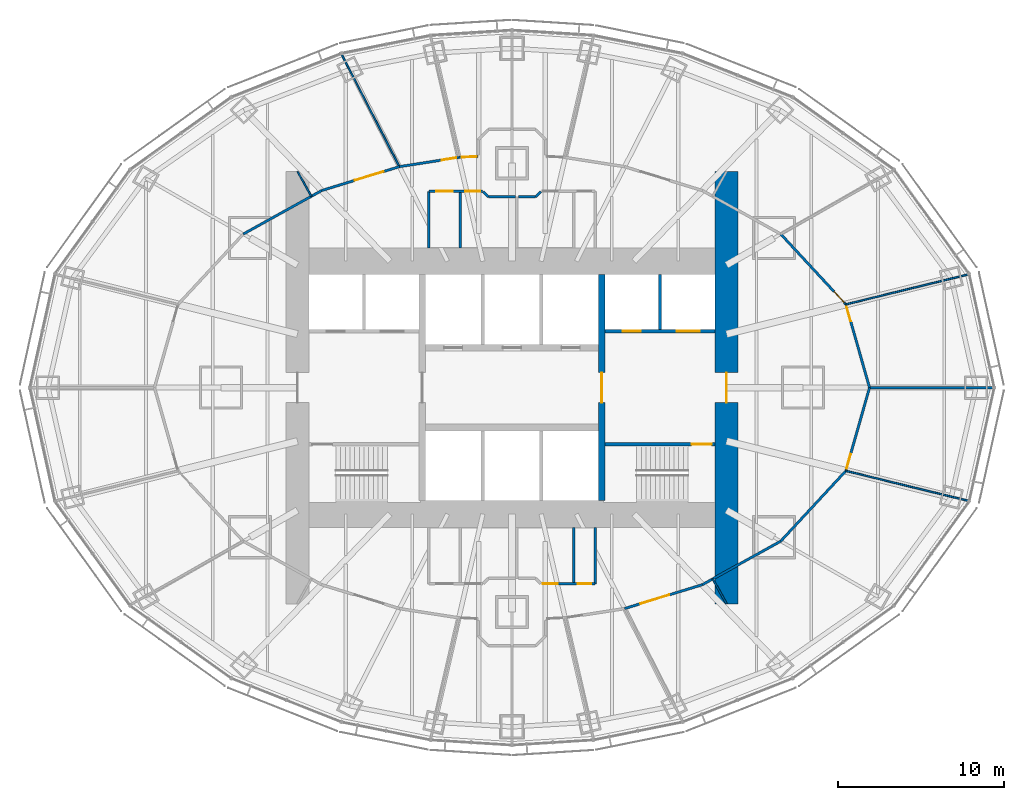
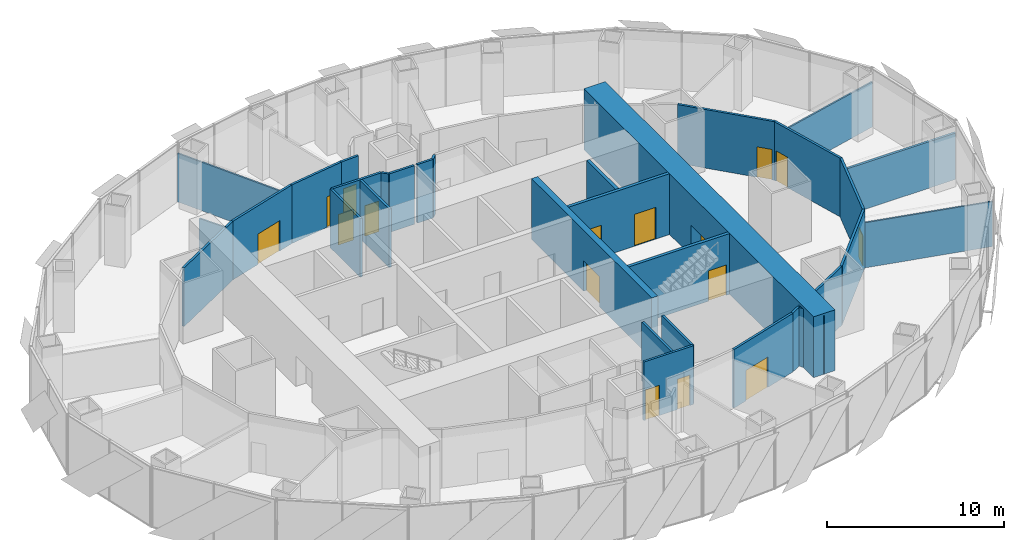
# One storey, part 12 of 17: 31 walls, 16 doors, 16 openings.
"""IFC4 building model written with IfcOpenShell, lengths in metres."""

import ifcopenshell
import ifcopenshell.guid

model = None  # the IFC model being written
_history = None  # IfcOwnerHistory: only IFC2X3 demands one
_inside = {}  # id of a spatial element -> (the spatial element, [elements in it])
_under = {}  # id of a project, library or spatial element -> (it, [spatial elements below it])
_declared = {}  # id of a project -> (the project, [libraries it declares])
_typed = {}  # id of a type object -> (the type object, [elements of that type])
_made_of = {}  # id of a material, layer set ... -> (it, [elements and type objects made of it])


def new_model(schema):
    """Start an empty IFC model of exactly this schema.

    Asked for "IFC4X3", IfcOpenShell would pick the latest addendum, in which some entities
    have other attributes; the version numbers below select the first issue.
    IFC2X3 requires an IfcOwnerHistory on every rooted entity: one is made here for all.
    """
    global model, _history
    if schema == "IFC4X3":
        model = ifcopenshell.file(schema_version=(4, 3, 0, 0))
    else:
        model = ifcopenshell.file(schema=schema)
    _inside.clear()
    _under.clear()
    _declared.clear()
    _typed.clear()
    _made_of.clear()
    _history = None
    if model.schema == "IFC2X3":
        org = make("IfcOrganization", Name="unknown")
        user = make(
            "IfcPersonAndOrganization",
            ThePerson=make("IfcPerson", FamilyName="unknown"),
            TheOrganization=org,
        )
        app = make(
            "IfcApplication",
            ApplicationDeveloper=org,
            Version="unknown",
            ApplicationFullName="unknown",
            ApplicationIdentifier="unknown",
        )
        _history = make(
            "IfcOwnerHistory",
            OwningUser=user,
            OwningApplication=app,
            ChangeAction="ADDED",
            CreationDate=0,
        )
    return model


def make(cls, **values):
    """One entity of the class cls with the attributes given. An attribute that is None is left unset."""
    return model.create_entity(
        cls, **{name: value for name, value in values.items() if value is not None}
    )


def rooted(cls, **values):
    """An entity with a GlobalId (a new one), such as an element, a storey or a relation."""
    return make(cls, GlobalId=ifcopenshell.guid.new(), OwnerHistory=_history, **values)


def si_unit(unit_type, name, prefix=None):
    """IfcSIUnit, for example si_unit("LENGTHUNIT", "METRE", prefix="MILLI")."""
    return make("IfcSIUnit", UnitType=unit_type, Prefix=prefix, Name=name)


def assignment(units):
    """IfcUnitAssignment: the units of a project."""
    return None if units is None else make("IfcUnitAssignment", Units=units)


def point(xyz):
    """IfcCartesianPoint."""
    return None if xyz is None else make("IfcCartesianPoint", Coordinates=xyz)


def direction(xyz):
    """IfcDirection."""
    return None if xyz is None else make("IfcDirection", DirectionRatios=xyz)


def frame(location, z_axis=None, x_axis=None):
    """IfcAxis2Placement3D, a coordinate frame: its origin and axes. An axis left out is left unset."""
    return make(
        "IfcAxis2Placement3D",
        Location=point(location),
        Axis=direction(z_axis),
        RefDirection=direction(x_axis),
    )


def frame_2d(location, x_axis=None):
    """IfcAxis2Placement2D, a coordinate frame in the plane: its origin and x axis."""
    return make(
        "IfcAxis2Placement2D", Location=point(location), RefDirection=direction(x_axis)
    )


def origin():
    """The frame at (0, 0, 0) with its axes left unset."""
    return frame((0.0, 0.0, 0.0))


def place(relative_to, where):
    """IfcLocalPlacement: puts the frame where relative to a parent placement (None: the world)."""
    return make(
        "IfcLocalPlacement", PlacementRelTo=relative_to, RelativePlacement=where
    )


def context(
    kind, dimensions, precision=None, world=None, true_north=None, identifier=None
):
    """IfcGeometricRepresentationContext, for example the 3D "Model" context."""
    return make(
        "IfcGeometricRepresentationContext",
        ContextIdentifier=identifier,
        ContextType=kind,
        CoordinateSpaceDimension=dimensions,
        Precision=precision,
        WorldCoordinateSystem=world,
        TrueNorth=true_north,
    )


def subcontext(parent, identifier, kind, view, scale=None):
    """IfcGeometricRepresentationSubContext, for example "Body" below "Model"."""
    return make(
        "IfcGeometricRepresentationSubContext",
        ContextIdentifier=identifier,
        ContextType=kind,
        ParentContext=parent,
        TargetScale=scale,
        TargetView=view,
    )


def project(units=None, contexts=None):
    """IfcProject with its units and contexts."""
    return rooted(
        "IfcProject",
        Name="project",
        RepresentationContexts=contexts,
        UnitsInContext=assignment(units),
    )


def spatial(cls, under=None, at=None, **own):
    """A site, building, storey or space (cls), placed at a placement, below another one or the project."""
    s = rooted(cls, ObjectPlacement=at, **own)
    if under is not None:
        _under.setdefault(under.id(), (under, []))[1].append(s)
    return s


def profile(cls, at=None, kind="AREA", **sizes):
    """A parametric profile (cls). Its sizes go by their IFC names, for example OverallWidth=200.0."""
    return make(cls, ProfileType=kind, Position=at, **sizes)


def rectangle(**sizes):
    """IfcRectangleProfileDef."""
    return profile("IfcRectangleProfileDef", **sizes)


def extrude(swept, where, along, depth):
    """IfcExtrudedAreaSolid: the profile swept, set in the frame where, extruded along a direction by depth."""
    return make(
        "IfcExtrudedAreaSolid",
        SweptArea=swept,
        Position=where,
        ExtrudedDirection=direction(along),
        Depth=depth,
    )


def shape(context_of_items, identifier, shape_type, items):
    """IfcShapeRepresentation: the items that make up one representation, for example the "Body"."""
    return make(
        "IfcShapeRepresentation",
        ContextOfItems=context_of_items,
        RepresentationIdentifier=identifier,
        RepresentationType=shape_type,
        Items=items,
    )


def material(Name=None, Category=None):
    """IfcMaterial."""
    return make("IfcMaterial", Name=Name, Category=Category)


def layer(
    of_material, thickness, ventilated=None, Name=None, Category=None, Priority=None
):
    """IfcMaterialLayer: one layer of a wall or slab, of a material (None: an air gap)."""
    return make(
        "IfcMaterialLayer",
        Material=of_material,
        LayerThickness=thickness,
        IsVentilated=ventilated,
        Name=Name,
        Category=Category,
        Priority=Priority,
    )


def layer_set(layers, Name=None):
    """IfcMaterialLayerSet."""
    return make("IfcMaterialLayerSet", MaterialLayers=layers, LayerSetName=Name)


def made_of(thing, what):
    """Note that an element or type object is made of a material, layer set ...; save() writes the relation."""
    if what is not None:
        _made_of.setdefault(what.id(), (what, []))[1].append(thing)
    return thing


def type_object(cls, material=None, **own):
    """A type object (cls), such as IfcWallType, which elements share."""
    return made_of(rooted(cls, **own), material)


def element(
    cls,
    number,
    at=None,
    inside=None,
    cuts=None,
    type_object=None,
    material=None,
    context=None,
    identifier="Body",
    shape_type=None,
    held_by="IfcProductDefinitionShape",
    body=None,
    shapes=None,
    **own,
):
    """One element of the class cls, such as IfcWall. Its Tag is "e" and its number.

    at: its placement. inside: the storey or other place that contains it. cuts: it is an
    opening in that element (IfcRelVoidsElement). A single representation is given by context,
    identifier, shape_type and body (its items); several are given by shapes. held_by: the class
    of the entity that holds the representations. save() writes the other relations.
    """
    e = rooted(cls, Tag="e%d" % number, ObjectPlacement=at, **own)
    if body is not None:
        shapes = [shape(context, identifier, shape_type, body)]
    if shapes is not None:
        e.Representation = make(held_by, Representations=shapes)
    if inside is not None:
        _inside.setdefault(inside.id(), (inside, []))[1].append(e)
    if cuts is not None:
        rooted(
            "IfcRelVoidsElement", RelatingBuildingElement=cuts, RelatedOpeningElement=e
        )
    if type_object is not None:
        _typed.setdefault(type_object.id(), (type_object, []))[1].append(e)
    return made_of(e, material)


def fill(opening, filler):
    """IfcRelFillsElement: the door or window that sits in an opening."""
    return rooted(
        "IfcRelFillsElement",
        RelatingOpeningElement=opening,
        RelatedBuildingElement=filler,
    )


def aggregate(whole, parts):
    """IfcRelAggregates: a whole, such as a stair, and the parts it consists of."""
    return rooted("IfcRelAggregates", RelatingObject=whole, RelatedObjects=parts)


def save(model, path):
    """Write the relations noted so far, then the file.

    IfcRelAggregates (storeys below a building ...), IfcRelContainedInSpatialStructure (elements
    in a storey), IfcRelDefinesByType, IfcRelAssociatesMaterial and IfcRelDeclares: one each for
    every whole, place, type object, material and project.
    """
    for whole, parts in _under.values():
        aggregate(whole, parts)
    for where, things in _inside.values():
        rooted(
            "IfcRelContainedInSpatialStructure",
            RelatedElements=things,
            RelatingStructure=where,
        )
    for kind, things in _typed.values():
        rooted("IfcRelDefinesByType", RelatedObjects=things, RelatingType=kind)
    for what, things in _made_of.values():
        rooted("IfcRelAssociatesMaterial", RelatedObjects=things, RelatingMaterial=what)
    for by, libraries in _declared.values():
        rooted("IfcRelDeclares", RelatingContext=by, RelatedDefinitions=libraries)
    model.write(path)


model = new_model("IFC4")

# Units and contexts
model_context = context("Model", 3, precision=1e-05, world=origin(), true_north=direction((0.0, 1.0)))
body_context = subcontext(model_context, "Body", "Model", "MODEL_VIEW")
ifc_project = project(units=[si_unit("LENGTHUNIT", "METRE"), si_unit("AREAUNIT", "SQUARE_METRE"), si_unit("VOLUMEUNIT", "CUBIC_METRE"), si_unit("PLANEANGLEUNIT", "RADIAN"), si_unit("MASSUNIT", "GRAM", prefix="KILO")], contexts=[model_context])

# Site, building, storey
site_placement = place(None, origin())
site = spatial("IfcSite", under=ifc_project, at=site_placement, CompositionType="ELEMENT")
building_placement = place(site_placement, origin())
building = spatial("IfcBuilding", under=site, at=building_placement, Name="Lantaw Convention Tower", CompositionType="ELEMENT")
storey_placement = place(building_placement, frame((0.0, 0.0, 163.60009765625)))
storey = spatial("IfcBuildingStorey", under=building, at=storey_placement, Name="L38", CompositionType="ELEMENT", Elevation=163.60009765625)

# Wall, opening, door
ifc_material_1 = material(Name="Concrete C60/75", Category="concrete")
ifc_layer_1 = layer(ifc_material_1, 1.39990234375)
ifc_layer_set_1 = layer_set([ifc_layer_1], Name="Core wall 1400")
wall_type_1 = type_object("IfcWallType", Name="Core wall 1400", PredefinedType="SHEAR", material=ifc_layer_set_1)
wall_1_placement = place(storey_placement, frame((12.89990234375, -13.0, 0.0), z_axis=(0.0, 0.0, 1.0), x_axis=(0.0, 1.0, 0.0)))
wall_1 = element("IfcWall", 1, at=wall_1_placement, inside=storey, type_object=wall_type_1, Name="Core wall E", PredefinedType="SHEAR", context=body_context, shape_type="SweptSolid", body=[
    extrude(rectangle(XDim=26.0, YDim=1.39990234375, at=frame_2d((13.0, 0.0))), origin(), (0.0, 0.0, 1.0), 4.199951171875),
])
opening_1_placement = place(wall_1_placement, frame((12.10009765625, 0.0, 0.0)))
opening_1 = element("IfcOpeningElement", 2, at=opening_1_placement, cuts=wall_1, Name="Opening L38.05", PredefinedType="OPENING", context=body_context, shape_type="SweptSolid", body=[
    extrude(rectangle(XDim=1.800048828125, YDim=2.10009765625, at=frame_2d((0.89990234375, 1.050048828125))), frame((0.0, 0.7099609375, 0.0), z_axis=(0.0, -1.0, 0.0), x_axis=(1.0, 0.0, 0.0)), (0.0, 0.0, 1.0), 1.419921875),
])
ifc_material_2 = material(Name="Steel, fire rated", Category="steel")
door_type_1 = type_object("IfcDoorType", Name="Lobby double door FD90", OperationType="DOUBLE_DOOR_DOUBLE_SWING", PredefinedType="DOOR", material=ifc_material_2)
door_1_placement = place(opening_1_placement, origin())
door_1 = element("IfcDoor", 3, at=door_1_placement, inside=storey, type_object=door_type_1, Name="Firefighting lobby door", OperationType="DOUBLE_DOOR_DOUBLE_SWING", OverallHeight=2.10009765625, OverallWidth=1.800048828125, PredefinedType="DOOR", context=body_context, shape_type="SweptSolid", body=[
    extrude(rectangle(XDim=1.800048828125, YDim=2.10009765625, at=frame_2d((0.89990234375, 1.050048828125))), frame((0.0, 0.02490234375, 0.0), z_axis=(0.0, -1.0, 0.0), x_axis=(1.0, 0.0, 0.0)), (0.0, 0.0, 1.0), 0.050048828125),
])
fill(opening_1, door_1)

ifc_layer_2 = layer(ifc_material_1, 0.199951171875)
ifc_layer_set_2 = layer_set([ifc_layer_2], Name="Core wall 200")
wall_type_2 = type_object("IfcWallType", Name="Core wall 200", PredefinedType="SHEAR", material=ifc_layer_set_2)
wall_2_placement = place(storey_placement, frame((5.60009765625, -3.39990234375, 0.0), z_axis=(0.0, 0.0, 1.0), x_axis=(1.0, 0.0, 0.0)))
wall_2 = element("IfcWall", 4, at=wall_2_placement, inside=storey, type_object=wall_type_2, Name="Core wall ES", PredefinedType="SHEAR", context=body_context, shape_type="SweptSolid", body=[
    extrude(rectangle(XDim=6.599853515625, YDim=0.199951171875, at=frame_2d((3.2998046875, 0.0))), origin(), (0.0, 0.0, 1.0), 4.199951171875),
])
opening_2_placement = place(wall_2_placement, frame((5.199951171875, 0.0, 0.0)))
opening_2 = element("IfcOpeningElement", 5, at=opening_2_placement, cuts=wall_2, Name="Opening L38.03", PredefinedType="OPENING", context=body_context, shape_type="SweptSolid", body=[
    extrude(rectangle(XDim=1.199951171875, YDim=2.10009765625, at=frame_2d((0.60009765625, 1.050048828125))), frame((0.0, 0.10986328125, 0.0), z_axis=(0.0, -1.0, 0.0), x_axis=(1.0, 0.0, 0.0)), (0.0, 0.0, 1.0), 0.219970703125),
])
door_type_2 = type_object("IfcDoorType", Name="Stair door FD90", OperationType="SINGLE_SWING_RIGHT", PredefinedType="DOOR", material=ifc_material_2)
door_2_placement = place(opening_2_placement, origin())
door_2 = element("IfcDoor", 6, at=door_2_placement, inside=storey, type_object=door_type_2, Name="Exit stair door", OperationType="SINGLE_SWING_RIGHT", OverallHeight=2.10009765625, OverallWidth=1.199951171875, PredefinedType="DOOR", context=body_context, shape_type="SweptSolid", body=[
    extrude(rectangle(XDim=1.199951171875, YDim=2.10009765625, at=frame_2d((0.60009765625, 1.050048828125))), frame((0.0, 0.02490234375, 0.0), z_axis=(0.0, -1.0, 0.0), x_axis=(1.0, 0.0, 0.0)), (0.0, 0.0, 1.0), 0.050048828125),
])
fill(opening_2, door_2)

ifc_layer_3 = layer(ifc_material_1, 0.39990234375)
ifc_layer_set_3 = layer_set([ifc_layer_3], Name="Core wall 400")
wall_type_3 = type_object("IfcWallType", Name="Core wall 400", PredefinedType="SHEAR", material=ifc_layer_set_3)
wall_3_placement = place(storey_placement, frame((5.39990234375, -6.800048828125, 0.0), z_axis=(0.0, 0.0, 1.0), x_axis=(0.0, 1.0, 0.0)))
wall_3 = element("IfcWall", 7, at=wall_3_placement, inside=storey, type_object=wall_type_3, Name="Core wall XE", PredefinedType="SHEAR", context=body_context, shape_type="SweptSolid", body=[
    extrude(rectangle(XDim=13.60009765625, YDim=0.39990234375, at=frame_2d((6.800048828125, 0.0))), origin(), (0.0, 0.0, 1.0), 4.199951171875),
])
opening_3_placement = place(wall_3_placement, frame((5.89990234375, 0.0, 0.0)))
opening_3 = element("IfcOpeningElement", 8, at=opening_3_placement, cuts=wall_3, Name="Opening L38.01", PredefinedType="OPENING", context=body_context, shape_type="SweptSolid", body=[
    extrude(rectangle(XDim=1.800048828125, YDim=2.10009765625, at=frame_2d((0.89990234375, 1.050048828125))), frame((0.0, 0.2099609375, 0.0), z_axis=(0.0, -1.0, 0.0), x_axis=(1.0, 0.0, 0.0)), (0.0, 0.0, 1.0), 0.419921875),
])
door_3_placement = place(opening_3_placement, origin())
door_3 = element("IfcDoor", 9, at=door_3_placement, inside=storey, type_object=door_type_1, Name="Lift lobby door", OperationType="DOUBLE_DOOR_DOUBLE_SWING", OverallHeight=2.10009765625, OverallWidth=1.800048828125, PredefinedType="DOOR", context=body_context, shape_type="SweptSolid", body=[
    extrude(rectangle(XDim=1.800048828125, YDim=2.10009765625, at=frame_2d((0.89990234375, 1.050048828125))), frame((0.0, 0.02490234375, 0.0), z_axis=(0.0, -1.0, 0.0), x_axis=(1.0, 0.0, 0.0)), (0.0, 0.0, 1.0), 0.050048828125),
])
fill(opening_3, door_3)

ifc_material_3 = material(Name="Gypsum board on steel studs, fire rated", Category="steel")
ifc_layer_4 = layer(ifc_material_3, 0.14990234375)
ifc_layer_set_4 = layer_set([ifc_layer_4], Name="Corridor wall 150 EI 60")
wall_type_4 = type_object("IfcWallType", Name="Corridor wall 150 EI 60", PredefinedType="PARTITIONING", material=ifc_layer_set_4)
wall_4_placement = place(storey_placement, frame((21.5, 0.0, 0.0), z_axis=(0.0, 0.0, 1.0), x_axis=(-0.273177936169, 0.961963520717, 0.0)))
wall_4 = element("IfcWall", 10, at=wall_4_placement, inside=storey, type_object=wall_type_4, Name="Corridor wall 150", PredefinedType="PARTITIONING", context=body_context, shape_type="SweptSolid", body=[
    extrude(rectangle(XDim=5.2041015625, YDim=0.14990234375, at=frame_2d((2.60205078125, 0.0))), origin(), (0.0, 0.0, 1.0), 4.0498046875),
])
opening_4_placement = place(wall_4_placement, frame((4.154052734375, 0.0, 0.0)))
opening_4 = element("IfcOpeningElement", 11, at=opening_4_placement, cuts=wall_4, Name="Opening L38.22", PredefinedType="OPENING", context=body_context, shape_type="SweptSolid", body=[
    extrude(rectangle(XDim=0.89990234375, YDim=2.10009765625, at=frame_2d((0.449951171875, 1.050048828125))), frame((0.0, 0.0849609375, 0.0), z_axis=(0.0, -1.0, 0.0), x_axis=(1.0, 0.0, 0.0)), (0.0, 0.0, 1.0), 0.169921875),
])
door_type_3 = type_object("IfcDoorType", Name="Office door 900 FD30", OperationType="SINGLE_SWING_LEFT", PredefinedType="DOOR", material=ifc_material_2)
door_4_placement = place(opening_4_placement, origin())
door_4 = element("IfcDoor", 12, at=door_4_placement, inside=storey, type_object=door_type_3, Name="Meeting room door", OperationType="SINGLE_SWING_LEFT", OverallHeight=2.10009765625, OverallWidth=0.89990234375, PredefinedType="DOOR", context=body_context, shape_type="SweptSolid", body=[
    extrude(rectangle(XDim=0.89990234375, YDim=2.10009765625, at=frame_2d((0.449951171875, 1.050048828125))), frame((0.0, 0.02490234375, 0.0), z_axis=(0.0, -1.0, 0.0), x_axis=(1.0, 0.0, 0.0)), (0.0, 0.0, 1.0), 0.050048828125),
])
fill(opening_4, door_4)

wall_5_placement = place(storey_placement, frame((20.078369140625, 5.006103515625, 0.0), z_axis=(0.0, 0.0, 1.0), x_axis=(-0.679724658223, 0.733467374191, 0.0)))
wall_5 = element("IfcWall", 13, at=wall_5_placement, inside=storey, type_object=wall_type_4, Name="Corridor wall 150", PredefinedType="PARTITIONING", context=body_context, shape_type="SweptSolid", body=[
    extrude(rectangle(XDim=5.764892578125, YDim=0.14990234375, at=frame_2d((2.88232421875, 0.0))), origin(), (0.0, 0.0, 1.0), 4.0498046875),
])
opening_5_placement = place(wall_5_placement, frame((0.14990234375, 0.0, 0.0)))
opening_5 = element("IfcOpeningElement", 14, at=opening_5_placement, cuts=wall_5, Name="Opening L38.23", PredefinedType="OPENING", context=body_context, shape_type="SweptSolid", body=[
    extrude(rectangle(XDim=0.89990234375, YDim=2.10009765625, at=frame_2d((0.449951171875, 1.050048828125))), frame((0.0, 0.0849609375, 0.0), z_axis=(0.0, -1.0, 0.0), x_axis=(1.0, 0.0, 0.0)), (0.0, 0.0, 1.0), 0.169921875),
])
door_5_placement = place(opening_5_placement, origin())
door_5 = element("IfcDoor", 15, at=door_5_placement, inside=storey, type_object=door_type_3, Name="Private office door", OperationType="SINGLE_SWING_LEFT", OverallHeight=2.10009765625, OverallWidth=0.89990234375, PredefinedType="DOOR", context=body_context, shape_type="SweptSolid", body=[
    extrude(rectangle(XDim=0.89990234375, YDim=2.10009765625, at=frame_2d((0.449951171875, 1.050048828125))), frame((0.0, 0.02490234375, 0.0), z_axis=(0.0, -1.0, 0.0), x_axis=(1.0, 0.0, 0.0)), (0.0, 0.0, 1.0), 0.050048828125),
])
fill(opening_5, door_5)

wall_6_placement = place(storey_placement, frame((-3.1962890625, 13.844482421875, 0.0), z_axis=(0.0, 0.0, 1.0), x_axis=(-0.98808911792, -0.153882731479, 0.0)))
wall_6 = element("IfcWall", 16, at=wall_6_placement, inside=storey, type_object=wall_type_4, Name="Corridor wall 150", PredefinedType="PARTITIONING", context=body_context, shape_type="SweptSolid", body=[
    extrude(rectangle(XDim=3.6171875, YDim=0.14990234375, at=frame_2d((1.80859375, 0.0))), origin(), (0.0, 0.0, 1.0), 4.0498046875),
])
opening_6_placement = place(wall_6_placement, frame((0.14990234375, 0.0, 0.0)))
opening_6 = element("IfcOpeningElement", 17, at=opening_6_placement, cuts=wall_6, Name="Opening L38.27", PredefinedType="OPENING", context=body_context, shape_type="SweptSolid", body=[
    extrude(rectangle(XDim=0.89990234375, YDim=2.10009765625, at=frame_2d((0.449951171875, 1.050048828125))), frame((0.0, 0.0849609375, 0.0), z_axis=(0.0, -1.0, 0.0), x_axis=(1.0, 0.0, 0.0)), (0.0, 0.0, 1.0), 0.169921875),
])
door_6_placement = place(opening_6_placement, origin())
door_6 = element("IfcDoor", 18, at=door_6_placement, inside=storey, type_object=door_type_3, Name="Private office door", OperationType="SINGLE_SWING_LEFT", OverallHeight=2.10009765625, OverallWidth=0.89990234375, PredefinedType="DOOR", context=body_context, shape_type="SweptSolid", body=[
    extrude(rectangle(XDim=0.89990234375, YDim=2.10009765625, at=frame_2d((0.449951171875, 1.050048828125))), frame((0.0, 0.02490234375, 0.0), z_axis=(0.0, -1.0, 0.0), x_axis=(1.0, 0.0, 0.0)), (0.0, 0.0, 1.0), 0.050048828125),
])
fill(opening_6, door_6)

wall_7_placement = place(storey_placement, frame((-6.7705078125, 13.287841796875, 0.0), z_axis=(0.0, 0.0, 1.0), x_axis=(-0.955892284323, -0.293717450573, 0.0)))
wall_7 = element("IfcWall", 19, at=wall_7_placement, inside=storey, type_object=wall_type_4, Name="Corridor wall 150", PredefinedType="PARTITIONING", context=body_context, shape_type="SweptSolid", body=[
    extrude(rectangle(XDim=4.889892578125, YDim=0.14990234375, at=frame_2d((2.44482421875, 0.0))), origin(), (0.0, 0.0, 1.0), 4.0498046875),
])
opening_7_placement = place(wall_7_placement, frame((1.008544921875, 0.0, 0.0)))
opening_7 = element("IfcOpeningElement", 20, at=opening_7_placement, cuts=wall_7, Name="Opening L38.28", PredefinedType="OPENING", context=body_context, shape_type="SweptSolid", body=[
    extrude(rectangle(XDim=1.800048828125, YDim=2.10009765625, at=frame_2d((0.89990234375, 1.050048828125))), frame((0.0, 0.0849609375, 0.0), z_axis=(0.0, -1.0, 0.0), x_axis=(1.0, 0.0, 0.0)), (0.0, 0.0, 1.0), 0.169921875),
])
door_type_4 = type_object("IfcDoorType", Name="Office double door 1800 FD30", OperationType="DOUBLE_DOOR_DOUBLE_SWING", PredefinedType="DOOR", material=ifc_material_2)
door_7_placement = place(opening_7_placement, origin())
door_7 = element("IfcDoor", 21, at=door_7_placement, inside=storey, type_object=door_type_4, Name="Tenant suite door", OperationType="DOUBLE_DOOR_DOUBLE_SWING", OverallHeight=2.10009765625, OverallWidth=1.800048828125, PredefinedType="DOOR", context=body_context, shape_type="SweptSolid", body=[
    extrude(rectangle(XDim=1.800048828125, YDim=2.10009765625, at=frame_2d((0.89990234375, 1.050048828125))), frame((0.0, 0.02490234375, 0.0), z_axis=(0.0, -1.0, 0.0), x_axis=(1.0, 0.0, 0.0)), (0.0, 0.0, 1.0), 0.050048828125),
])
fill(opening_7, door_7)

# Wall
wall_8_placement = place(storey_placement, frame((-11.44482421875, 11.8515625, 0.0), z_axis=(0.0, 0.0, 1.0), x_axis=(-0.87433873028, -0.485316169865, 0.0)))
element("IfcWall", 22, at=wall_8_placement, inside=storey, type_object=wall_type_4, Name="Corridor wall 150", PredefinedType="PARTITIONING", context=body_context, shape_type="SweptSolid", body=[
    extrude(rectangle(XDim=5.392822265625, YDim=0.14990234375, at=frame_2d((2.6962890625, 0.0))), origin(), (0.0, 0.0, 1.0), 4.0498046875),
])

# Wall, opening, door
wall_9_placement = place(storey_placement, frame((6.7705078125, -13.287841796875, 0.0), z_axis=(0.0, 0.0, 1.0), x_axis=(0.955892284323, 0.293717450573, 0.0)))
wall_9 = element("IfcWall", 23, at=wall_9_placement, inside=storey, type_object=wall_type_4, Name="Corridor wall 150", PredefinedType="PARTITIONING", context=body_context, shape_type="SweptSolid", body=[
    extrude(rectangle(XDim=4.889892578125, YDim=0.14990234375, at=frame_2d((2.44482421875, 0.0))), origin(), (0.0, 0.0, 1.0), 4.0498046875),
])
opening_8_placement = place(wall_9_placement, frame((1.008544921875, 0.0, 0.0)))
opening_8 = element("IfcOpeningElement", 24, at=opening_8_placement, cuts=wall_9, Name="Opening L38.36", PredefinedType="OPENING", context=body_context, shape_type="SweptSolid", body=[
    extrude(rectangle(XDim=1.800048828125, YDim=2.10009765625, at=frame_2d((0.89990234375, 1.050048828125))), frame((0.0, 0.0849609375, 0.0), z_axis=(0.0, -1.0, 0.0), x_axis=(1.0, 0.0, 0.0)), (0.0, 0.0, 1.0), 0.169921875),
])
door_8_placement = place(opening_8_placement, origin())
door_8 = element("IfcDoor", 25, at=door_8_placement, inside=storey, type_object=door_type_4, Name="Tenant suite door", OperationType="DOUBLE_DOOR_DOUBLE_SWING", OverallHeight=2.10009765625, OverallWidth=1.800048828125, PredefinedType="DOOR", context=body_context, shape_type="SweptSolid", body=[
    extrude(rectangle(XDim=1.800048828125, YDim=2.10009765625, at=frame_2d((0.89990234375, 1.050048828125))), frame((0.0, 0.02490234375, 0.0), z_axis=(0.0, -1.0, 0.0), x_axis=(1.0, 0.0, 0.0)), (0.0, 0.0, 1.0), 0.050048828125),
])
fill(opening_8, door_8)

# Walls
wall_10_placement = place(storey_placement, frame((11.44482421875, -11.8515625, 0.0), z_axis=(0.0, 0.0, 1.0), x_axis=(0.87433873028, 0.485316169865, 0.0)))
element("IfcWall", 26, at=wall_10_placement, inside=storey, type_object=wall_type_4, Name="Corridor wall 150", PredefinedType="PARTITIONING", context=body_context, shape_type="SweptSolid", body=[
    extrude(rectangle(XDim=5.392822265625, YDim=0.14990234375, at=frame_2d((2.6962890625, 0.0))), origin(), (0.0, 0.0, 1.0), 4.0498046875),
])
wall_11_placement = place(storey_placement, frame((16.159912109375, -9.234375, 0.0), z_axis=(0.0, 0.0, 1.0), x_axis=(0.679724658223, 0.733467374191, 0.0)))
element("IfcWall", 27, at=wall_11_placement, inside=storey, type_object=wall_type_4, Name="Corridor wall 150", PredefinedType="PARTITIONING", context=body_context, shape_type="SweptSolid", body=[
    extrude(rectangle(XDim=5.764892578125, YDim=0.14990234375, at=frame_2d((2.88232421875, 0.0))), origin(), (0.0, 0.0, 1.0), 4.0498046875),
])

# Wall, opening, door
wall_12_placement = place(storey_placement, frame((20.078369140625, -5.006103515625, 0.0), z_axis=(0.0, 0.0, 1.0), x_axis=(0.273177936169, 0.961963520717, 0.0)))
wall_12 = element("IfcWall", 28, at=wall_12_placement, inside=storey, type_object=wall_type_4, Name="Corridor wall 150", PredefinedType="PARTITIONING", context=body_context, shape_type="SweptSolid", body=[
    extrude(rectangle(XDim=5.2041015625, YDim=0.14990234375, at=frame_2d((2.60205078125, 0.0))), origin(), (0.0, 0.0, 1.0), 4.0498046875),
])
opening_9_placement = place(wall_12_placement, frame((0.14990234375, 0.0, 0.0)))
opening_9 = element("IfcOpeningElement", 29, at=opening_9_placement, cuts=wall_12, Name="Opening L38.37", PredefinedType="OPENING", context=body_context, shape_type="SweptSolid", body=[
    extrude(rectangle(XDim=0.89990234375, YDim=2.10009765625, at=frame_2d((0.449951171875, 1.050048828125))), frame((0.0, 0.0849609375, 0.0), z_axis=(0.0, -1.0, 0.0), x_axis=(1.0, 0.0, 0.0)), (0.0, 0.0, 1.0), 0.169921875),
])
door_9_placement = place(opening_9_placement, origin())
door_9 = element("IfcDoor", 30, at=door_9_placement, inside=storey, type_object=door_type_3, Name="Pantry door", OperationType="SINGLE_SWING_LEFT", OverallHeight=2.10009765625, OverallWidth=0.89990234375, PredefinedType="DOOR", context=body_context, shape_type="SweptSolid", body=[
    extrude(rectangle(XDim=0.89990234375, YDim=2.10009765625, at=frame_2d((0.449951171875, 1.050048828125))), frame((0.0, 0.02490234375, 0.0), z_axis=(0.0, -1.0, 0.0), x_axis=(1.0, 0.0, 0.0)), (0.0, 0.0, 1.0), 0.050048828125),
])
fill(opening_9, door_9)

wall_13_placement = place(storey_placement, frame((-2.034912109375, 13.90087890625, 0.0), z_axis=(0.0, 0.0, 1.0), x_axis=(-0.998823043489, -0.048502863789, 0.0)))
wall_13 = element("IfcWall", 31, at=wall_13_placement, inside=storey, type_object=wall_type_4, Name="Corridor wall 150", PredefinedType="PARTITIONING", context=body_context, shape_type="SweptSolid", body=[
    extrude(rectangle(XDim=1.162841796875, YDim=0.14990234375, at=frame_2d((0.58154296875, 0.0))), origin(), (0.0, 0.0, 1.0), 4.0498046875),
])
opening_10_placement = place(wall_13_placement, frame((0.10009765625, 0.0, 0.0)))
opening_10 = element("IfcOpeningElement", 32, at=opening_10_placement, cuts=wall_13, Name="Opening L38.26", PredefinedType="OPENING", context=body_context, shape_type="SweptSolid", body=[
    extrude(rectangle(XDim=0.89990234375, YDim=2.10009765625, at=frame_2d((0.449951171875, 1.050048828125))), frame((0.0, 0.0849609375, 0.0), z_axis=(0.0, -1.0, 0.0), x_axis=(1.0, 0.0, 0.0)), (0.0, 0.0, 1.0), 0.169921875),
])
door_10_placement = place(opening_10_placement, origin())
door_10 = element("IfcDoor", 33, at=door_10_placement, inside=storey, type_object=door_type_3, Name="Meeting room door", OperationType="SINGLE_SWING_LEFT", OverallHeight=2.10009765625, OverallWidth=0.89990234375, PredefinedType="DOOR", context=body_context, shape_type="SweptSolid", body=[
    extrude(rectangle(XDim=0.89990234375, YDim=2.10009765625, at=frame_2d((0.449951171875, 1.050048828125))), frame((0.0, 0.02490234375, 0.0), z_axis=(0.0, -1.0, 0.0), x_axis=(1.0, 0.0, 0.0)), (0.0, 0.0, 1.0), 0.050048828125),
])
fill(opening_10, door_10)

# Walls
ifc_material_4 = material(Name="Gypsum board on steel studs, acoustic", Category="steel")
ifc_layer_5 = layer(ifc_material_4, 0.10009765625)
ifc_layer_set_5 = layer_set([ifc_layer_5], Name="Office partition 100")
wall_type_5 = type_object("IfcWallType", Name="Office partition 100", PredefinedType="PARTITIONING", material=ifc_layer_set_5)
wall_14_placement = place(storey_placement, frame((27.440673828125, 6.808837890625, 0.0), z_axis=(0.0, 0.0, 1.0), x_axis=(-0.971305815804, -0.237834001323, 0.0)))
element("IfcWall", 34, at=wall_14_placement, inside=storey, type_object=wall_type_5, Name="Office partition 100", PredefinedType="PARTITIONING", context=body_context, shape_type="SweptSolid", body=[
    extrude(rectangle(XDim=7.579833984375, YDim=0.10009765625, at=frame_2d((3.7900390625, 0.0))), origin(), (0.0, 0.0, 1.0), 3.112548828125),
])
wall_15_placement = place(storey_placement, frame((-10.25341796875, 20.0517578125, 0.0), z_axis=(0.0, 0.0, 1.0), x_axis=(0.457797505753, -0.88905649074, 0.0)))
element("IfcWall", 35, at=wall_15_placement, inside=storey, type_object=wall_type_5, Name="Office partition 100", PredefinedType="PARTITIONING", context=body_context, shape_type="SweptSolid", body=[
    extrude(rectangle(XDim=7.60791015625, YDim=0.10009765625, at=frame_2d((3.803955078125, 0.0))), origin(), (0.0, 0.0, 1.0), 3.348876953125),
])
wall_16_placement = place(storey_placement, frame((27.440673828125, -6.808837890625, 0.0), z_axis=(0.0, 0.0, 1.0), x_axis=(-0.971305815804, 0.237834001323, 0.0)))
element("IfcWall", 36, at=wall_16_placement, inside=storey, type_object=wall_type_5, Name="Office partition 100", PredefinedType="PARTITIONING", context=body_context, shape_type="SweptSolid", body=[
    extrude(rectangle(XDim=7.579833984375, YDim=0.10009765625, at=frame_2d((3.7900390625, 0.0))), origin(), (0.0, 0.0, 1.0), 3.112548828125),
])
for number, where, z_axis, x_axis, name in (
    (37, (12.89990234375, -13.0, 0.0), (0.0, 0.0, 1.0), (-0.485339901234, 0.87432555737, 0.0), "Office partition 100"),
    (38, (-12.89990234375, 13.0, 0.0), (0.0, 0.0, 1.0), (0.485339901234, -0.87432555737, 0.0), "Office partition 100"),
):
    element("IfcWall", number, at=place(storey_placement, frame(where, z_axis=z_axis, x_axis=x_axis)), inside=storey, type_object=wall_type_5, Name=name, PredefinedType="PARTITIONING", context=body_context, shape_type="SweptSolid", body=[
        extrude(rectangle(XDim=1.710205078125, YDim=0.10009765625, at=frame_2d((0.85498046875, 0.0))), origin(), (0.0, 0.0, 1.0), 4.0498046875),
    ])

# Wall, openings, doors
ifc_material_5 = material(Name="Concrete blockwork, fire rated", Category="masonry")
ifc_layer_6 = layer(ifc_material_5, 0.199951171875)
ifc_layer_set_6 = layer_set([ifc_layer_6], Name="Shaft wall 200")
wall_type_6 = type_object("IfcWallType", Name="Shaft wall 200", PredefinedType="SOLIDWALL", material=ifc_layer_set_6)
wall_17_placement = place(storey_placement, frame((12.199951171875, 3.39990234375, 0.0), z_axis=(0.0, 0.0, 1.0), x_axis=(-1.0, 0.0, 0.0)))
wall_17 = element("IfcWall", 39, at=wall_17_placement, inside=storey, type_object=wall_type_6, Name="Shaft wall EN", PredefinedType="SOLIDWALL", context=body_context, shape_type="SweptSolid", body=[
    extrude(rectangle(XDim=6.599853515625, YDim=0.199951171875, at=frame_2d((3.2998046875, 0.0))), origin(), (0.0, 0.0, 1.0), 4.199951171875),
])
opening_11_placement = place(wall_17_placement, frame((4.449951171875, 0.0, 0.0)))
opening_11 = element("IfcOpeningElement", 40, at=opening_11_placement, cuts=wall_17, Name="Opening L38.12", PredefinedType="OPENING", context=body_context, shape_type="SweptSolid", body=[
    extrude(rectangle(XDim=1.10009765625, YDim=2.199951171875, at=frame_2d((0.550048828125, 1.10009765625))), frame((0.0, 0.10986328125, 0.0), z_axis=(0.0, -1.0, 0.0), x_axis=(1.0, 0.0, 0.0)), (0.0, 0.0, 1.0), 0.219970703125),
])
opening_12_placement = place(wall_17_placement, frame((0.89990234375, 0.0, 0.0)))
opening_12 = element("IfcOpeningElement", 41, at=opening_12_placement, cuts=wall_17, Name="Opening L38.13", PredefinedType="OPENING", context=body_context, shape_type="SweptSolid", body=[
    extrude(rectangle(XDim=1.39990234375, YDim=2.199951171875, at=frame_2d((0.699951171875, 1.10009765625))), frame((0.0, 0.10986328125, 0.0), z_axis=(0.0, -1.0, 0.0), x_axis=(1.0, 0.0, 0.0)), (0.0, 0.0, 1.0), 0.219970703125),
])
ifc_material_6 = material(Name="Stainless steel", Category="steel")
door_type_5 = type_object("IfcDoorType", Name="Lift landing door 1100", OperationType="DOUBLE_DOOR_SLIDING", PredefinedType="DOOR", material=ifc_material_6)
door_11_placement = place(opening_11_placement, origin())
door_11 = element("IfcDoor", 42, at=door_11_placement, inside=storey, type_object=door_type_5, Name="Lift landing door FF2", OperationType="DOUBLE_DOOR_SLIDING", OverallHeight=2.199951171875, OverallWidth=1.10009765625, PredefinedType="DOOR", context=body_context, shape_type="SweptSolid", body=[
    extrude(rectangle(XDim=1.10009765625, YDim=2.199951171875, at=frame_2d((0.550048828125, 1.10009765625))), frame((0.0, 0.02490234375, 0.0), z_axis=(0.0, -1.0, 0.0), x_axis=(1.0, 0.0, 0.0)), (0.0, 0.0, 1.0), 0.050048828125),
])
fill(opening_11, door_11)
door_type_6 = type_object("IfcDoorType", Name="Lift landing door 1400", OperationType="DOUBLE_DOOR_SLIDING", PredefinedType="DOOR", material=ifc_material_6)
door_12_placement = place(opening_12_placement, origin())
door_12 = element("IfcDoor", 43, at=door_12_placement, inside=storey, type_object=door_type_6, Name="Lift landing door SV2", OperationType="DOUBLE_DOOR_SLIDING", OverallHeight=2.199951171875, OverallWidth=1.39990234375, PredefinedType="DOOR", context=body_context, shape_type="SweptSolid", body=[
    extrude(rectangle(XDim=1.39990234375, YDim=2.199951171875, at=frame_2d((0.699951171875, 1.10009765625))), frame((0.0, 0.02490234375, 0.0), z_axis=(0.0, -1.0, 0.0), x_axis=(1.0, 0.0, 0.0)), (0.0, 0.0, 1.0), 0.050048828125),
])
fill(opening_12, door_12)

# Walls
wall_18_placement = place(storey_placement, frame((8.89990234375, 3.5, 0.0), z_axis=(0.0, 0.0, 1.0), x_axis=(0.0, 1.0, 0.0)))
element("IfcWall", 44, at=wall_18_placement, inside=storey, type_object=wall_type_6, Name="Shaft wall ED", PredefinedType="SOLIDWALL", context=body_context, shape_type="SweptSolid", body=[
    extrude(rectangle(XDim=3.300048828125, YDim=0.199951171875, at=frame_2d((1.64990234375, 0.0))), origin(), (0.0, 0.0, 1.0), 4.199951171875),
])
ifc_layer_7 = layer(ifc_material_3, 0.14990234375)
ifc_layer_set_7 = layer_set([ifc_layer_7], Name="Tenant separation wall 150 EI 60")
wall_type_7 = type_object("IfcWallType", Name="Tenant separation wall 150 EI 60", PredefinedType="PARTITIONING", material=ifc_layer_set_7)
wall_19_placement = place(storey_placement, frame((28.944091796875, 0.0, 0.0), z_axis=(0.0, 0.0, 1.0), x_axis=(-1.0, 0.0, 0.0)))
element("IfcWall", 45, at=wall_19_placement, inside=storey, type_object=wall_type_7, Name="Tenant separation wall 150", PredefinedType="PARTITIONING", context=body_context, shape_type="SweptSolid", body=[
    extrude(rectangle(XDim=7.444091796875, YDim=0.14990234375, at=frame_2d((3.72216796875, 0.0))), origin(), (0.0, 0.0, 1.0), 3.2041015625),
])
ifc_material_7 = material(Name="Concrete blockwork", Category="masonry")
ifc_layer_8 = layer(ifc_material_7, 0.14990234375)
ifc_layer_set_8 = layer_set([ifc_layer_8], Name="WC wall 150")
wall_type_8 = type_object("IfcWallType", Name="WC wall 150", PredefinedType="SOLIDWALL", material=ifc_layer_set_8)
for number, where, z_axis, x_axis, name in (
    (46, (-5.0, 8.39990234375, 0.0), (0.0, 0.0, 1.0), (0.0, 1.0, 0.0), "WC wall 150"),
    (47, (-3.10009765625, 8.39990234375, 0.0), (0.0, 0.0, 1.0), (0.0, 1.0, 0.0), "WC wall 150"),
    (48, (5.0, -8.39990234375, 0.0), (0.0, 0.0, 1.0), (0.0, -1.0, 0.0), "WC wall 150"),
    (49, (3.699951171875, -8.39990234375, 0.0), (0.0, 0.0, 1.0), (0.0, -1.0, 0.0), "WC wall 150"),
):
    element("IfcWall", number, at=place(storey_placement, frame(where, z_axis=z_axis, x_axis=x_axis)), inside=storey, type_object=wall_type_8, Name=name, PredefinedType="SOLIDWALL", context=body_context, shape_type="SweptSolid", body=[
        extrude(rectangle(XDim=3.400146484375, YDim=0.14990234375, at=frame_2d((1.7001953125, 0.0))), origin(), (0.0, 0.0, 1.0), 4.0498046875),
    ])

# Wall, openings, doors
wall_20_placement = place(storey_placement, frame((1.763671875, -11.800048828125, 0.0), z_axis=(0.0, 0.0, 1.0), x_axis=(1.0, 0.0, 0.0)))
wall_20 = element("IfcWall", 50, at=wall_20_placement, inside=storey, type_object=wall_type_8, Name="WC wall 150", PredefinedType="SOLIDWALL", context=body_context, shape_type="SweptSolid", body=[
    extrude(rectangle(XDim=3.236328125, YDim=0.14990234375, at=frame_2d((1.6181640625, 0.0))), origin(), (0.0, 0.0, 1.0), 4.0498046875),
])
opening_13_placement = place(wall_20_placement, frame((0.10009765625, 0.0, 0.0)))
opening_13 = element("IfcOpeningElement", 51, at=opening_13_placement, cuts=wall_20, Name="Opening L38.20", PredefinedType="OPENING", context=body_context, shape_type="SweptSolid", body=[
    extrude(rectangle(XDim=0.89990234375, YDim=2.10009765625, at=frame_2d((0.449951171875, 1.050048828125))), frame((0.0, 0.0849609375, 0.0), z_axis=(0.0, -1.0, 0.0), x_axis=(1.0, 0.0, 0.0)), (0.0, 0.0, 1.0), 0.169921875),
])
opening_14_placement = place(wall_20_placement, frame((2.199951171875, 0.0, 0.0)))
opening_14 = element("IfcOpeningElement", 52, at=opening_14_placement, cuts=wall_20, Name="Opening L38.21", PredefinedType="OPENING", context=body_context, shape_type="SweptSolid", body=[
    extrude(rectangle(XDim=0.800048828125, YDim=2.10009765625, at=frame_2d((0.39990234375, 1.050048828125))), frame((0.0, 0.0849609375, 0.0), z_axis=(0.0, -1.0, 0.0), x_axis=(1.0, 0.0, 0.0)), (0.0, 0.0, 1.0), 0.169921875),
])
ifc_material_8 = material(Name="Timber", Category="wood")
door_type_7 = type_object("IfcDoorType", Name="WC door 800", OperationType="SINGLE_SWING_LEFT", PredefinedType="DOOR", material=ifc_material_8)
door_13_placement = place(opening_14_placement, origin())
door_13 = element("IfcDoor", 53, at=door_13_placement, inside=storey, type_object=door_type_7, Name="Pantry door", OperationType="SINGLE_SWING_LEFT", OverallHeight=2.10009765625, OverallWidth=0.800048828125, PredefinedType="DOOR", context=body_context, shape_type="SweptSolid", body=[
    extrude(rectangle(XDim=0.800048828125, YDim=2.10009765625, at=frame_2d((0.39990234375, 1.050048828125))), frame((0.0, 0.02490234375, 0.0), z_axis=(0.0, -1.0, 0.0), x_axis=(1.0, 0.0, 0.0)), (0.0, 0.0, 1.0), 0.050048828125),
])
fill(opening_14, door_13)
door_type_8 = type_object("IfcDoorType", Name="WC door 900", OperationType="SINGLE_SWING_LEFT", PredefinedType="DOOR", material=ifc_material_8)
door_14_placement = place(opening_13_placement, origin())
door_14 = element("IfcDoor", 54, at=door_14_placement, inside=storey, type_object=door_type_8, Name="Female WC door", OperationType="SINGLE_SWING_LEFT", OverallHeight=2.10009765625, OverallWidth=0.89990234375, PredefinedType="DOOR", context=body_context, shape_type="SweptSolid", body=[
    extrude(rectangle(XDim=0.89990234375, YDim=2.10009765625, at=frame_2d((0.449951171875, 1.050048828125))), frame((0.0, 0.02490234375, 0.0), z_axis=(0.0, -1.0, 0.0), x_axis=(1.0, 0.0, 0.0)), (0.0, 0.0, 1.0), 0.050048828125),
])
fill(opening_13, door_14)

wall_21_placement = place(storey_placement, frame((-5.0, 11.800048828125, 0.0), z_axis=(0.0, 0.0, 1.0), x_axis=(1.0, 0.0, 0.0)))
wall_21 = element("IfcWall", 55, at=wall_21_placement, inside=storey, type_object=wall_type_8, Name="WC wall 150", PredefinedType="SOLIDWALL", context=body_context, shape_type="SweptSolid", body=[
    extrude(rectangle(XDim=3.236328125, YDim=0.14990234375, at=frame_2d((1.6181640625, 0.0))), origin(), (0.0, 0.0, 1.0), 4.0498046875),
])
opening_15_placement = place(wall_21_placement, frame((0.449951171875, 0.0, 0.0)))
opening_15 = element("IfcOpeningElement", 56, at=opening_15_placement, cuts=wall_21, Name="Opening L38.14", PredefinedType="OPENING", context=body_context, shape_type="SweptSolid", body=[
    extrude(rectangle(XDim=1.0, YDim=2.10009765625, at=frame_2d((0.5, 1.050048828125))), frame((0.0, 0.0849609375, 0.0), z_axis=(0.0, -1.0, 0.0), x_axis=(1.0, 0.0, 0.0)), (0.0, 0.0, 1.0), 0.169921875),
])
opening_16_placement = place(wall_21_placement, frame((2.199951171875, 0.0, 0.0)))
opening_16 = element("IfcOpeningElement", 57, at=opening_16_placement, cuts=wall_21, Name="Opening L38.15", PredefinedType="OPENING", context=body_context, shape_type="SweptSolid", body=[
    extrude(rectangle(XDim=0.89990234375, YDim=2.10009765625, at=frame_2d((0.449951171875, 1.050048828125))), frame((0.0, 0.0849609375, 0.0), z_axis=(0.0, -1.0, 0.0), x_axis=(1.0, 0.0, 0.0)), (0.0, 0.0, 1.0), 0.169921875),
])
door_type_9 = type_object("IfcDoorType", Name="Accessible WC door 1000", OperationType="SINGLE_SWING_LEFT", PredefinedType="DOOR", material=ifc_material_8)
door_15_placement = place(opening_15_placement, origin())
door_15 = element("IfcDoor", 58, at=door_15_placement, inside=storey, type_object=door_type_9, Name="Accessible WC door", OperationType="SINGLE_SWING_LEFT", OverallHeight=2.10009765625, OverallWidth=1.0, PredefinedType="DOOR", context=body_context, shape_type="SweptSolid", body=[
    extrude(rectangle(XDim=1.0, YDim=2.10009765625, at=frame_2d((0.5, 1.050048828125))), frame((0.0, 0.02490234375, 0.0), z_axis=(0.0, -1.0, 0.0), x_axis=(1.0, 0.0, 0.0)), (0.0, 0.0, 1.0), 0.050048828125),
])
fill(opening_15, door_15)
door_16_placement = place(opening_16_placement, origin())
door_16 = element("IfcDoor", 59, at=door_16_placement, inside=storey, type_object=door_type_8, Name="Male WC door", OperationType="SINGLE_SWING_LEFT", OverallHeight=2.10009765625, OverallWidth=0.89990234375, PredefinedType="DOOR", context=body_context, shape_type="SweptSolid", body=[
    extrude(rectangle(XDim=0.89990234375, YDim=2.10009765625, at=frame_2d((0.449951171875, 1.050048828125))), frame((0.0, 0.02490234375, 0.0), z_axis=(0.0, -1.0, 0.0), x_axis=(1.0, 0.0, 0.0)), (0.0, 0.0, 1.0), 0.050048828125),
])
fill(opening_16, door_16)

# Walls
wall_22_placement = place(storey_placement, frame((0.19677734375, 11.47509765625, 0.0), z_axis=(0.0, 0.0, 1.0), x_axis=(-1.0, 0.0, 0.0)))
element("IfcWall", 60, at=wall_22_placement, inside=storey, type_object=wall_type_8, Name="WC wall 150", PredefinedType="SOLIDWALL", context=body_context, shape_type="SweptSolid", body=[
    extrude(rectangle(XDim=1.621337890625, YDim=0.14990234375, at=frame_2d((0.810546875, 0.0))), origin(), (0.0, 0.0, 1.0), 4.0498046875),
])
for number, where, z_axis, x_axis, name in (
    (61, (-1.424560546875, 11.47509765625, 0.0), (0.0, 0.0, 1.0), (-0.707106781187, 0.707106781187, 0.0), "WC wall 150"),
    (62, (1.733642578125, 11.7841796875, 0.0), (0.0, 0.0, 1.0), (-0.707106781187, -0.707106781187, 0.0), "WC wall 150"),
):
    element("IfcWall", number, at=place(storey_placement, frame(where, z_axis=z_axis, x_axis=x_axis)), inside=storey, type_object=wall_type_8, Name=name, PredefinedType="SOLIDWALL", context=body_context, shape_type="SweptSolid", body=[
        extrude(rectangle(XDim=0.43701171875, YDim=0.14990234375, at=frame_2d((0.218505859375, 0.0))), origin(), (0.0, 0.0, 1.0), 4.0498046875),
    ])
wall_23_placement = place(storey_placement, frame((1.424560546875, 11.47509765625, 0.0), z_axis=(0.0, 0.0, 1.0), x_axis=(-1.0, 0.0, 0.0)))
element("IfcWall", 63, at=wall_23_placement, inside=storey, type_object=wall_type_8, Name="WC wall 150", PredefinedType="SOLIDWALL", context=body_context, shape_type="SweptSolid", body=[
    extrude(rectangle(XDim=1.021240234375, YDim=0.14990234375, at=frame_2d((0.5107421875, 0.0))), origin(), (0.0, 0.0, 1.0), 4.0498046875),
])

save(model, "model.ifc")
